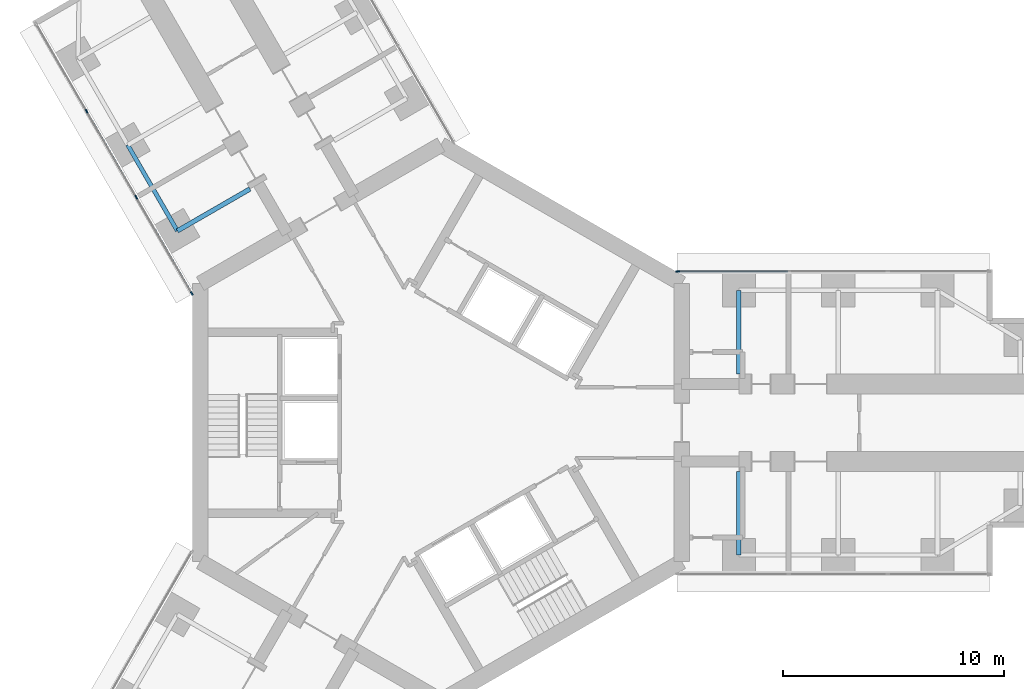
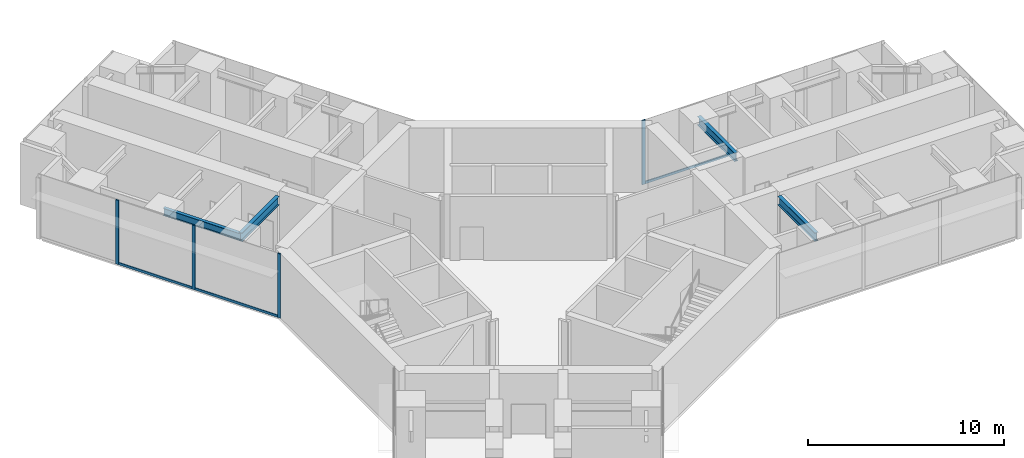
# One storey, part 6 of 23: 7 members, 4 beams, 2 elements without a shape of their own.
"""IFC4 building model written with IfcOpenShell, lengths in metres."""

from ifc_helpers import new_model, si_unit, direction, frame, origin, origin_2d, place, context, subcontext, project, spatial, rectangle, i_section, extrude, material, material_profile, profile_set, type_object, element, aggregate, save


model = new_model("IFC4")

# Units and contexts
model_context = context("Model", 3, precision=1e-05, world=origin(), true_north=direction((0.0, 1.0)))
body_context = subcontext(model_context, "Body", "Model", "MODEL_VIEW")
ifc_project = project(units=[si_unit("LENGTHUNIT", "METRE"), si_unit("AREAUNIT", "SQUARE_METRE"), si_unit("VOLUMEUNIT", "CUBIC_METRE"), si_unit("PLANEANGLEUNIT", "RADIAN"), si_unit("MASSUNIT", "GRAM", prefix="KILO")], contexts=[model_context])

# Site, building, storey
site_placement = place(None, origin())
site = spatial("IfcSite", under=ifc_project, at=site_placement, CompositionType="ELEMENT")
building_placement = place(site_placement, origin())
building = spatial("IfcBuilding", under=site, at=building_placement, Name="Upepo Twin Towers", CompositionType="ELEMENT")
storey_placement = place(building_placement, frame((0.0, 0.0, 24.5)))
storey = spatial("IfcBuildingStorey", under=building, at=storey_placement, Name="L05", CompositionType="ELEMENT", Elevation=24.5)

# Beams
ifc_material_1 = material(Name="Steel S355", Category="steel")
ifc_material_profile_1 = material_profile(ifc_material_1, i_section(OverallWidth=0.1904296875, OverallDepth=0.45703125, WebThickness=0.009033203125, FlangeThickness=0.014404296875, FilletRadius=0.01025390625, at=origin_2d()), Name="UB 457x191x74")
ifc_profile_set_1 = profile_set([ifc_material_profile_1], Name="Steel S355")
beam_type_1 = type_object("IfcBeamType", Name="Beam UB 457x191x74", PredefinedType="BEAM", material=ifc_profile_set_1)
beam_1_placement = place(storey_placement, frame((-11.946044921875, 8.69140625, 3.571533203125), z_axis=(-0.500013631625, 0.866017533419, 0.0), x_axis=(-0.866017533419, -0.500013631625, 0.0)))
element("IfcBeam", 1, at=beam_1_placement, inside=storey, type_object=beam_type_1, Name="T1 edge beam BL 13.5-18.0", PredefinedType="BEAM", context=body_context, shape_type="SweptSolid", body=[
    extrude(i_section(OverallWidth=0.1904296875, OverallDepth=0.45703125, WebThickness=0.009033203125, FlangeThickness=0.014404296875, FilletRadius=0.01025390625, at=origin_2d()), origin(), (0.0, 0.0, 1.0), 4.499755859375),
])
ifc_material_2 = material(Name="Steel S355", Category="steel")
ifc_material_profile_2 = material_profile(ifc_material_2, i_section(OverallWidth=0.209228515625, OverallDepth=0.533203125, WebThickness=0.010009765625, FlangeThickness=0.015625, FilletRadius=0.0126953125, at=origin_2d()), Name="UB 533x210x92")
ifc_profile_set_2 = profile_set([ifc_material_profile_2], Name="Steel S355")
beam_type_2 = type_object("IfcBeamType", Name="Beam UB 533x210x92", PredefinedType="BEAM", material=ifc_profile_set_2)
for number, where, z_axis, x_axis, name in (
    (2, (13.5, 6.0, 3.533447265625), (0.0, -1.0, 0.0), (1.0, 0.0, 0.0), "T1 girder AL at 13.5"),
    (3, (13.5, -6.0, 3.533447265625), (0.0, 1.0, 0.0), (-1.0, 0.0, 0.0), "T1 girder AR at 13.5"),
):
    element("IfcBeam", number, at=place(storey_placement, frame(where, z_axis=z_axis, x_axis=x_axis)), inside=storey, type_object=beam_type_2, Name=name, PredefinedType="BEAM", context=body_context, shape_type="SweptSolid", body=[
        extrude(i_section(OverallWidth=0.209228515625, OverallDepth=0.533203125, WebThickness=0.010009765625, FlangeThickness=0.015625, FilletRadius=0.0126953125, at=origin_2d()), origin(), (0.0, 0.0, 1.0), 3.800048828125),
    ])
beam_2_placement = place(storey_placement, frame((-11.946044921875, 8.69140625, 3.533447265625), z_axis=(0.866028304915, 0.499994975061, 0.0), x_axis=(-0.499994975061, 0.866028304915, 0.0)))
element("IfcBeam", 4, at=beam_2_placement, inside=storey, type_object=beam_type_2, Name="T1 girder BL at 13.5", PredefinedType="BEAM", context=body_context, shape_type="SweptSolid", body=[
    extrude(i_section(OverallWidth=0.209228515625, OverallDepth=0.533203125, WebThickness=0.010009765625, FlangeThickness=0.015625, FilletRadius=0.0126953125, at=origin_2d()), origin(), (0.0, 0.0, 1.0), 3.7998046875),
])

# Curtain wall, member
ifc_material_3 = material(Name="Aluminium and fritted glass", Category="aluminium")
curtain_wall_type = type_object("IfcCurtainWallType", Name="Tower curtain wall TW1, fritted glass", PredefinedType="NOTDEFINED", material=ifc_material_3)
curtain_wall_1_placement = place(storey_placement, origin())
curtain_wall_1 = element("IfcCurtainWall", 5, at=curtain_wall_1_placement, inside=storey, type_object=curtain_wall_type, Name="T1 L05 wing A flank L curtain wall", PredefinedType="NOTDEFINED")
ifc_material_4 = material(Name="Aluminium mullion", Category="aluminium")
ifc_material_profile_3 = material_profile(ifc_material_4, rectangle(XDim=0.06494140625, YDim=0.179931640625, at=origin_2d()), Name="MULLION 65x180")
ifc_profile_set_3 = profile_set([ifc_material_profile_3], Name="Aluminium mullion")
member_type_1 = type_object("IfcMemberType", Name="Mullion 65x180 TW1", PredefinedType="MULLION", material=ifc_profile_set_3)
member_1_placement = place(storey_placement, frame((10.7197265625, 6.85009765625, 0.0), z_axis=(0.0, 0.0, 1.0), x_axis=(0.0, 1.0, 0.0)))
member_1 = element("IfcMember", 6, at=member_1_placement, type_object=member_type_1, Name="T1 L05 wing A flank L curtain wall mullion 1", PredefinedType="MULLION", context=body_context, shape_type="SweptSolid", body=[
    extrude(rectangle(XDim=0.06494140625, YDim=0.179931640625, at=origin_2d()), origin(), (0.0, 0.0, 1.0), 4.0),
])

# Curtain wall, members
curtain_wall_2_placement = place(storey_placement, origin())
curtain_wall_2 = element("IfcCurtainWall", 7, at=curtain_wall_2_placement, inside=storey, type_object=curtain_wall_type, Name="T1 L05 wing B flank L curtain wall", PredefinedType="NOTDEFINED")
member_2_placement = place(storey_placement, frame((-11.2919921875, 5.8583984375, 0.0), z_axis=(0.0, 0.0, 1.0), x_axis=(-0.866025389682, -0.500000024426, 0.0)))
member_2 = element("IfcMember", 8, at=member_2_placement, type_object=member_type_1, Name="T1 L05 wing B flank L curtain wall mullion 1", PredefinedType="MULLION", context=body_context, shape_type="SweptSolid", body=[
    extrude(rectangle(XDim=0.06494140625, YDim=0.179931640625, at=origin_2d()), origin(), (0.0, 0.0, 1.0), 4.0),
])
member_3_placement = place(storey_placement, frame((-13.807373046875, 10.21484375, 0.0), z_axis=(0.0, 0.0, 1.0), x_axis=(-0.866025389682, -0.500000024426, 0.0)))
member_3 = element("IfcMember", 9, at=member_3_placement, type_object=member_type_1, Name="T1 L05 wing B flank L curtain wall mullion 2", PredefinedType="MULLION", context=body_context, shape_type="SweptSolid", body=[
    extrude(rectangle(XDim=0.06494140625, YDim=0.179931640625, at=origin_2d()), origin(), (0.0, 0.0, 1.0), 4.0),
])
member_4_placement = place(storey_placement, frame((-16.057373046875, 14.112060546875, 0.0), z_axis=(0.0, 0.0, 1.0), x_axis=(-0.866025389682, -0.500000024426, 0.0)))
member_4 = element("IfcMember", 10, at=member_4_placement, type_object=member_type_1, Name="T1 L05 wing B flank L curtain wall mullion 3", PredefinedType="MULLION", context=body_context, shape_type="SweptSolid", body=[
    extrude(rectangle(XDim=0.06494140625, YDim=0.179931640625, at=origin_2d()), origin(), (0.0, 0.0, 1.0), 4.0),
])

# Member
ifc_material_5 = material(Name="Aluminium transom", Category="aluminium")
ifc_material_profile_4 = material_profile(ifc_material_5, rectangle(XDim=0.06494140625, YDim=0.14990234375, at=origin_2d()), Name="TRANSOM 65x150")
ifc_profile_set_4 = profile_set([ifc_material_profile_4], Name="Aluminium transom")
member_type_2 = type_object("IfcMemberType", Name="Transom 65x150 TW1", PredefinedType="USERDEFINED", material=ifc_profile_set_4)
member_5_placement = place(storey_placement, frame((10.752197265625, 6.85009765625, 0.074951171875), z_axis=(1.0, 0.0, 0.0), x_axis=(0.0, 1.0, 0.0)))
member_5 = element("IfcMember", 11, at=member_5_placement, type_object=member_type_2, Name="T1 L05 wing A flank L curtain wall transom 1", ObjectType="TRANSOM", PredefinedType="USERDEFINED", context=body_context, shape_type="SweptSolid", body=[
    extrude(rectangle(XDim=0.06494140625, YDim=0.14990234375, at=origin_2d()), origin(), (0.0, 0.0, 1.0), 4.96533203125),
])

aggregate(curtain_wall_1, [member_1, member_5])

member_6_placement = place(storey_placement, frame((-11.308349609375, 5.88671875, 0.074951171875), z_axis=(-0.50000478328, 0.866022642139, 0.0), x_axis=(-0.866022642139, -0.50000478328, 0.0)))
member_6 = element("IfcMember", 12, at=member_6_placement, type_object=member_type_2, Name="T1 L05 wing B flank L curtain wall transom 1", ObjectType="TRANSOM", PredefinedType="USERDEFINED", context=body_context, shape_type="SweptSolid", body=[
    extrude(rectangle(XDim=0.06494140625, YDim=0.14990234375, at=origin_2d()), origin(), (0.0, 0.0, 1.0), 4.96533203125),
])

member_7_placement = place(storey_placement, frame((-13.823486328125, 10.2431640625, 0.074951171875), z_axis=(-0.500005184116, 0.866022410713, 0.0), x_axis=(-0.866022410713, -0.500005184116, 0.0)))
member_7 = element("IfcMember", 13, at=member_7_placement, type_object=member_type_2, Name="T1 L05 wing B flank L curtain wall transom 2", ObjectType="TRANSOM", PredefinedType="USERDEFINED", context=body_context, shape_type="SweptSolid", body=[
    extrude(rectangle(XDim=0.06494140625, YDim=0.14990234375, at=origin_2d()), origin(), (0.0, 0.0, 1.0), 4.43505859375),
])

aggregate(curtain_wall_2, [member_2, member_3, member_4, member_6, member_7])

save(model, "model.ifc")
